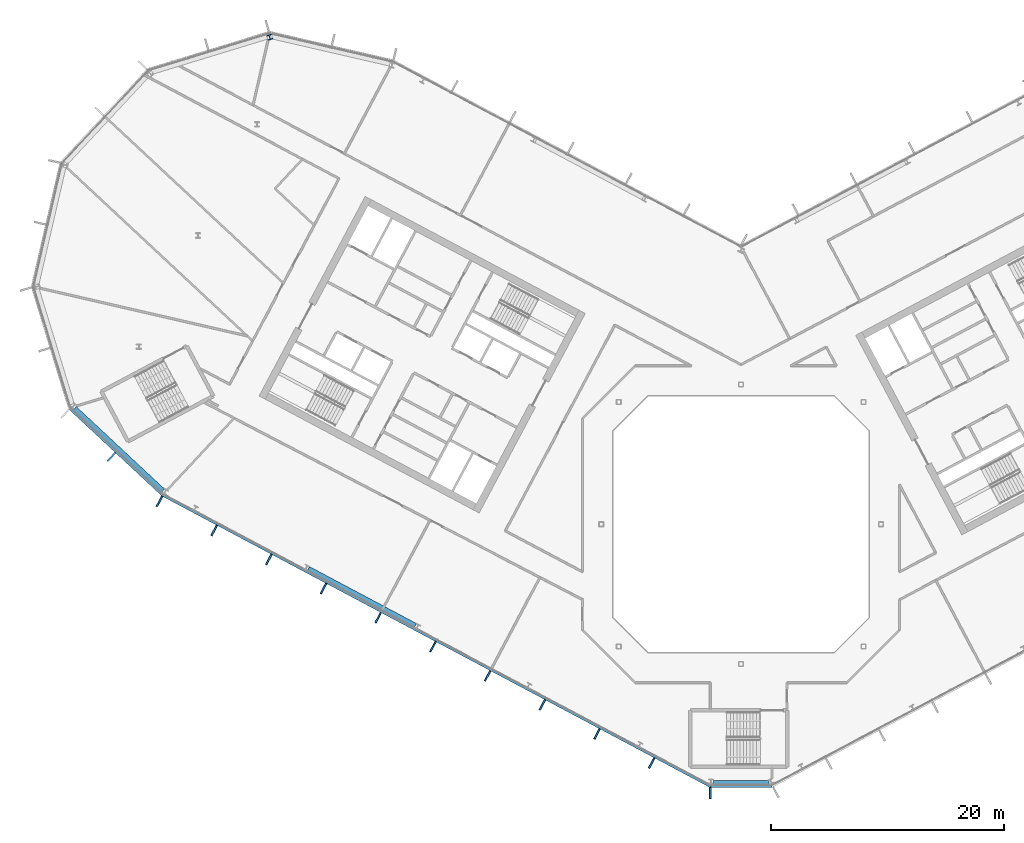
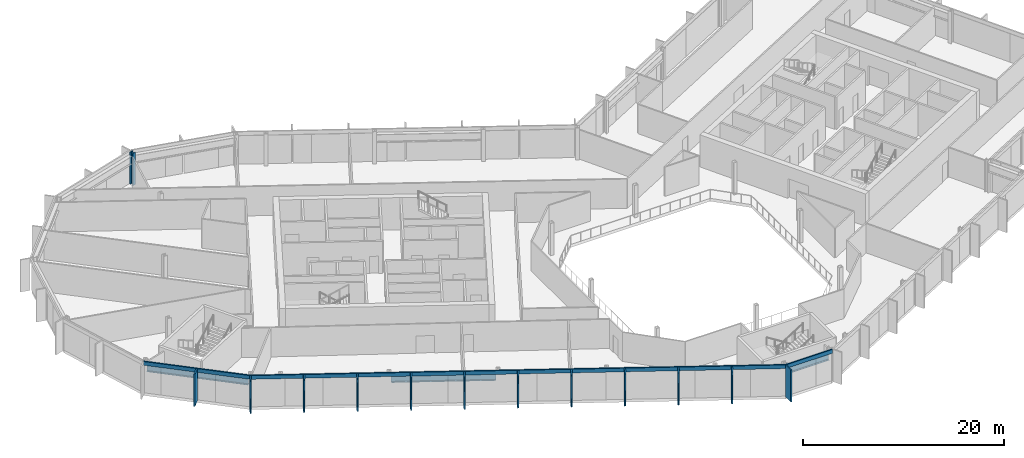
# One storey, part 8 of 26: 15 members, 3 beams, 1 column, 3 elements without a shape of their own.
"""IFC4 building model written with IfcOpenShell, lengths in metres."""

from ifc_helpers import new_model, si_unit, direction, frame, origin, origin_2d, place, context, subcontext, project, spatial, rectangle, i_section, extrude, material, layer, layer_set, material_profile, profile_set, type_object, element, aggregate, save


model = new_model("IFC4")

# Units and contexts
model_context = context("Model", 3, precision=1e-05, world=origin(), true_north=direction((0.0, 1.0)))
body_context = subcontext(model_context, "Body", "Model", "MODEL_VIEW")
ifc_project = project(units=[si_unit("LENGTHUNIT", "METRE"), si_unit("AREAUNIT", "SQUARE_METRE"), si_unit("VOLUMEUNIT", "CUBIC_METRE"), si_unit("PLANEANGLEUNIT", "RADIAN"), si_unit("MASSUNIT", "GRAM", prefix="KILO")], contexts=[model_context])

# Site, building, storey
site_placement = place(None, origin())
site = spatial("IfcSite", under=ifc_project, at=site_placement, CompositionType="ELEMENT")
building_placement = place(site_placement, origin())
building = spatial("IfcBuilding", under=site, at=building_placement, Name="Cormorant Relay Tower", CompositionType="ELEMENT")
storey_placement = place(building_placement, frame((0.0, 0.0, 213.0)))
storey = spatial("IfcBuildingStorey", under=building, at=storey_placement, Name="L46", CompositionType="ELEMENT", Elevation=213.0)

# Column
ifc_material_1 = material(Name="Steel ASTM A992 (Fy 345 MPa)", Category="steel")
ifc_material_profile_1 = material_profile(ifc_material_1, i_section(OverallWidth=0.41162109375, OverallDepth=0.434326171875, WebThickness=0.035888671875, FlangeThickness=0.057373046875, FilletRadius=0.01513671875, at=origin_2d()), Name="W360x463")
ifc_profile_set_1 = profile_set([ifc_material_profile_1], Name="Steel ASTM A992 (Fy 345 MPa)")
column_type = type_object("IfcColumnType", Name="Column W360x463", PredefinedType="COLUMN", material=ifc_profile_set_1)
column_placement = place(storey_placement, frame((-40.455078125, 41.803955078125, 0.0), z_axis=(0.0, 0.0, 1.0), x_axis=(-0.956304755963, -0.292371704723, 0.0)))
element("IfcColumn", 1, at=column_placement, inside=storey, type_object=column_type, Name="Column L46-045", PredefinedType="COLUMN", context=body_context, shape_type="SweptSolid", body=[
    extrude(i_section(OverallWidth=0.41162109375, OverallDepth=0.434326171875, WebThickness=0.035888671875, FlangeThickness=0.057373046875, FilletRadius=0.01513671875, at=origin_2d()), origin(), (0.0, 0.0, 1.0), 3.89990234375),
])

# Curtain wall, member
ifc_material_2 = material(Name="Aluminium 6063-T6 anodised bronze", Category="aluminium")
ifc_layer = layer(ifc_material_2, 0.199951171875)
ifc_layer_set = layer_set([ifc_layer], Name="CW1 unitised bronze curtain wall with vertical fins")
curtain_wall_type = type_object("IfcCurtainWallType", Name="CW1 unitised bronze curtain wall with vertical fins", PredefinedType="NOTDEFINED", material=ifc_layer_set)
curtain_wall_1_placement = place(storey_placement, origin())
curtain_wall_1 = element("IfcCurtainWall", 2, at=curtain_wall_1_placement, inside=storey, type_object=curtain_wall_type, Name="CW1 curtain wall 1", PredefinedType="NOTDEFINED")
ifc_material_3 = material(Name="Aluminium 6063-T6 anodised bronze", Category="aluminium")
ifc_material_profile_2 = material_profile(ifc_material_3, rectangle(XDim=0.14990234375, YDim=1.0, at=origin_2d()), Name="AL 150x1000")
ifc_profile_set_2 = profile_set([ifc_material_profile_2], Name="Aluminium 6063-T6 anodised bronze")
member_type_1 = type_object("IfcMemberType", Name="CW1 bronze fin mullion 150 x 1000", PredefinedType="MULLION", material=ifc_profile_set_2)
member_1_placement = place(storey_placement, frame((-2.648681640625, -23.07568359375, 0.0), z_axis=(0.0, 0.0, 1.0), x_axis=(1.0, 0.0, 0.0)))
member_1 = element("IfcMember", 3, at=member_1_placement, type_object=member_type_1, Name="CW1 fin 1.1", PredefinedType="MULLION", context=body_context, shape_type="SweptSolid", body=[
    extrude(rectangle(XDim=0.14990234375, YDim=1.0, at=origin_2d()), origin(), (0.0, 0.0, 1.0), 3.89990234375),
])

curtain_wall_2_placement = place(storey_placement, origin())
curtain_wall_2 = element("IfcCurtainWall", 4, at=curtain_wall_2_placement, inside=storey, type_object=curtain_wall_type, Name="CW1 curtain wall 15", PredefinedType="NOTDEFINED")
member_2_placement = place(storey_placement, frame((-54.0439453125, 5.779296875, 0.0), z_axis=(0.0, 0.0, 1.0), x_axis=(0.731353701619, -0.681998360062, 0.0)))
member_2 = element("IfcMember", 5, at=member_2_placement, type_object=member_type_1, Name="CW1 fin 15.2", PredefinedType="MULLION", context=body_context, shape_type="SweptSolid", body=[
    extrude(rectangle(XDim=0.14990234375, YDim=1.0, at=origin_2d()), origin(), (0.0, 0.0, 1.0), 3.89990234375),
])

# Curtain wall, members
curtain_wall_3_placement = place(storey_placement, origin())
curtain_wall_3 = element("IfcCurtainWall", 6, at=curtain_wall_3_placement, inside=storey, type_object=curtain_wall_type, Name="CW1 curtain wall 16", PredefinedType="NOTDEFINED")
member_3_placement = place(storey_placement, frame((-49.920166015625, 1.96630859375, 0.0), z_axis=(0.0, 0.0, 1.0), x_axis=(0.882947592859, -0.469471562786, 0.0)))
member_3 = element("IfcMember", 7, at=member_3_placement, type_object=member_type_1, Name="CW1 fin 16.1", PredefinedType="MULLION", context=body_context, shape_type="SweptSolid", body=[
    extrude(rectangle(XDim=0.14990234375, YDim=1.0, at=origin_2d()), origin(), (0.0, 0.0, 1.0), 3.89990234375),
])
member_4_placement = place(storey_placement, frame((-45.225830078125, -0.52978515625, 0.0), z_axis=(0.0, 0.0, 1.0), x_axis=(0.882947592859, -0.469471562786, 0.0)))
member_4 = element("IfcMember", 8, at=member_4_placement, type_object=member_type_1, Name="CW1 fin 16.2", PredefinedType="MULLION", context=body_context, shape_type="SweptSolid", body=[
    extrude(rectangle(XDim=0.14990234375, YDim=1.0, at=origin_2d()), origin(), (0.0, 0.0, 1.0), 3.89990234375),
])
member_5_placement = place(storey_placement, frame((-40.531494140625, -3.025634765625, 0.0), z_axis=(0.0, 0.0, 1.0), x_axis=(0.882947592859, -0.469471562786, 0.0)))
member_5 = element("IfcMember", 9, at=member_5_placement, type_object=member_type_1, Name="CW1 fin 16.3", PredefinedType="MULLION", context=body_context, shape_type="SweptSolid", body=[
    extrude(rectangle(XDim=0.14990234375, YDim=1.0, at=origin_2d()), origin(), (0.0, 0.0, 1.0), 3.89990234375),
])
member_6_placement = place(storey_placement, frame((-35.83740234375, -5.521728515625, 0.0), z_axis=(0.0, 0.0, 1.0), x_axis=(0.882947592859, -0.469471562786, 0.0)))
member_6 = element("IfcMember", 10, at=member_6_placement, type_object=member_type_1, Name="CW1 fin 16.4", PredefinedType="MULLION", context=body_context, shape_type="SweptSolid", body=[
    extrude(rectangle(XDim=0.14990234375, YDim=1.0, at=origin_2d()), origin(), (0.0, 0.0, 1.0), 3.89990234375),
])
member_7_placement = place(storey_placement, frame((-31.14306640625, -8.017578125, 0.0), z_axis=(0.0, 0.0, 1.0), x_axis=(0.882947592859, -0.469471562786, 0.0)))
member_7 = element("IfcMember", 11, at=member_7_placement, type_object=member_type_1, Name="CW1 fin 16.5", PredefinedType="MULLION", context=body_context, shape_type="SweptSolid", body=[
    extrude(rectangle(XDim=0.14990234375, YDim=1.0, at=origin_2d()), origin(), (0.0, 0.0, 1.0), 3.89990234375),
])
member_8_placement = place(storey_placement, frame((-26.44873046875, -10.513671875, 0.0), z_axis=(0.0, 0.0, 1.0), x_axis=(0.882947592859, -0.469471562786, 0.0)))
member_8 = element("IfcMember", 12, at=member_8_placement, type_object=member_type_1, Name="CW1 fin 16.6", PredefinedType="MULLION", context=body_context, shape_type="SweptSolid", body=[
    extrude(rectangle(XDim=0.14990234375, YDim=1.0, at=origin_2d()), origin(), (0.0, 0.0, 1.0), 3.89990234375),
])
member_9_placement = place(storey_placement, frame((-21.754638671875, -13.009765625, 0.0), z_axis=(0.0, 0.0, 1.0), x_axis=(0.882947592859, -0.469471562786, 0.0)))
member_9 = element("IfcMember", 13, at=member_9_placement, type_object=member_type_1, Name="CW1 fin 16.7", PredefinedType="MULLION", context=body_context, shape_type="SweptSolid", body=[
    extrude(rectangle(XDim=0.14990234375, YDim=1.0, at=origin_2d()), origin(), (0.0, 0.0, 1.0), 3.89990234375),
])
member_10_placement = place(storey_placement, frame((-17.060302734375, -15.505615234375, 0.0), z_axis=(0.0, 0.0, 1.0), x_axis=(0.882947592859, -0.469471562786, 0.0)))
member_10 = element("IfcMember", 14, at=member_10_placement, type_object=member_type_1, Name="CW1 fin 16.8", PredefinedType="MULLION", context=body_context, shape_type="SweptSolid", body=[
    extrude(rectangle(XDim=0.14990234375, YDim=1.0, at=origin_2d()), origin(), (0.0, 0.0, 1.0), 3.89990234375),
])
member_11_placement = place(storey_placement, frame((-12.365966796875, -18.001708984375, 0.0), z_axis=(0.0, 0.0, 1.0), x_axis=(0.882947592859, -0.469471562786, 0.0)))
member_11 = element("IfcMember", 15, at=member_11_placement, type_object=member_type_1, Name="CW1 fin 16.9", PredefinedType="MULLION", context=body_context, shape_type="SweptSolid", body=[
    extrude(rectangle(XDim=0.14990234375, YDim=1.0, at=origin_2d()), origin(), (0.0, 0.0, 1.0), 3.89990234375),
])
member_12_placement = place(storey_placement, frame((-7.671630859375, -20.49755859375, 0.0), z_axis=(0.0, 0.0, 1.0), x_axis=(0.882947592859, -0.469471562786, 0.0)))
member_12 = element("IfcMember", 16, at=member_12_placement, type_object=member_type_1, Name="CW1 fin 16.10", PredefinedType="MULLION", context=body_context, shape_type="SweptSolid", body=[
    extrude(rectangle(XDim=0.14990234375, YDim=1.0, at=origin_2d()), origin(), (0.0, 0.0, 1.0), 3.89990234375),
])

# Member
ifc_material_4 = material(Name="Aluminium 6063-T6 anodised bronze", Category="aluminium")
ifc_material_profile_3 = material_profile(ifc_material_4, rectangle(XDim=0.159912109375, YDim=0.449951171875, at=origin_2d()), Name="AL 160x450")
ifc_profile_set_3 = profile_set([ifc_material_profile_3], Name="Aluminium 6063-T6 anodised bronze")
member_type_2 = type_object("IfcMemberType", Name="CW1 bronze transom 160 x 450", PredefinedType="USERDEFINED", material=ifc_profile_set_3)
member_13_placement = place(storey_placement, frame((-2.648681640625, -22.49560546875, 3.675048828125), z_axis=(1.0, 0.0, 0.0), x_axis=(0.0, 1.0, 0.0)))
member_13 = element("IfcMember", 17, at=member_13_placement, type_object=member_type_2, Name="CW1 transom 1", ObjectType="TRANSOM", PredefinedType="USERDEFINED", context=body_context, shape_type="SweptSolid", body=[
    extrude(rectangle(XDim=0.159912109375, YDim=0.449951171875, at=origin_2d()), origin(), (0.0, 0.0, 1.0), 5.29736328125),
])

aggregate(curtain_wall_1, [member_1, member_13])

member_14_placement = place(storey_placement, frame((-57.62353515625, 9.91015625, 3.675048828125), z_axis=(0.731358420696, -0.681993299437, 0.0), x_axis=(0.681993299437, 0.731358420696, 0.0)))
member_14 = element("IfcMember", 18, at=member_14_placement, type_object=member_type_2, Name="CW1 transom 15", ObjectType="TRANSOM", PredefinedType="USERDEFINED", context=body_context, shape_type="SweptSolid", body=[
    extrude(rectangle(XDim=0.159912109375, YDim=0.449951171875, at=origin_2d()), origin(), (0.0, 0.0, 1.0), 10.870361328125),
])

aggregate(curtain_wall_2, [member_2, member_14])

member_15_placement = place(storey_placement, frame((-49.64794921875, 2.478515625, 3.675048828125), z_axis=(0.882947642542, -0.469471469346, 0.0), x_axis=(0.469471469346, 0.882947642542, 0.0)))
member_15 = element("IfcMember", 19, at=member_15_placement, type_object=member_type_2, Name="CW1 transom 16", ObjectType="TRANSOM", PredefinedType="USERDEFINED", context=body_context, shape_type="SweptSolid", body=[
    extrude(rectangle(XDim=0.159912109375, YDim=0.449951171875, at=origin_2d()), origin(), (0.0, 0.0, 1.0), 53.166015625),
])

aggregate(curtain_wall_3, [member_3, member_4, member_5, member_6, member_7, member_8, member_9, member_10, member_11, member_12, member_15])

# Beams
ifc_material_5 = material(Name="Steel ASTM A992 (Fy 345 MPa)", Category="steel")
ifc_material_profile_4 = material_profile(ifc_material_5, i_section(OverallWidth=0.4013671875, OverallDepth=0.990478515625, WebThickness=0.0166015625, FlangeThickness=0.031005859375, FilletRadius=0.030029296875, at=origin_2d()), Name="W1000x320")
ifc_profile_set_4 = profile_set([ifc_material_profile_4], Name="Steel ASTM A992 (Fy 345 MPa)")
beam_type = type_object("IfcBeamType", Name="Spandrel W1000x320", PredefinedType="SPANDREL", material=ifc_profile_set_4)
beam_1_placement = place(storey_placement, frame((-2.3701171875, -22.1748046875, 3.044677734375), z_axis=(1.0, 0.0, 0.0), x_axis=(0.0, 1.0, 0.0)))
element("IfcBeam", 20, at=beam_1_placement, inside=storey, type_object=beam_type, Name="Spandrel beam L46-001", PredefinedType="SPANDREL", context=body_context, shape_type="SweptSolid", body=[
    extrude(i_section(OverallWidth=0.4013671875, OverallDepth=0.990478515625, WebThickness=0.0166015625, FlangeThickness=0.031005859375, FilletRadius=0.030029296875, at=origin_2d()), origin(), (0.0, 0.0, 1.0), 4.761474609375),
])
beam_2_placement = place(storey_placement, frame((-57.19580078125, 9.94970703125, 3.044677734375), z_axis=(0.731351589689, -0.682000624824, 0.0), x_axis=(0.682000624824, 0.731351589689, 0.0)))
element("IfcBeam", 21, at=beam_2_placement, inside=storey, type_object=beam_type, Name="Spandrel beam L46-015", PredefinedType="SPANDREL", context=body_context, shape_type="SweptSolid", body=[
    extrude(i_section(OverallWidth=0.4013671875, OverallDepth=0.990478515625, WebThickness=0.0166015625, FlangeThickness=0.031005859375, FilletRadius=0.030029296875, at=origin_2d()), origin(), (0.0, 0.0, 1.0), 10.354248046875),
])
beam_3_placement = place(storey_placement, frame((-37.134033203125, -3.812255859375, 3.044677734375), z_axis=(0.882949648898, -0.469467695918, 0.0), x_axis=(0.469467695918, 0.882949648898, 0.0)))
element("IfcBeam", 22, at=beam_3_placement, inside=storey, type_object=beam_type, Name="Spandrel beam L46-016", PredefinedType="SPANDREL", context=body_context, shape_type="SweptSolid", body=[
    extrude(i_section(OverallWidth=0.4013671875, OverallDepth=0.990478515625, WebThickness=0.0166015625, FlangeThickness=0.031005859375, FilletRadius=0.030029296875, at=origin_2d()), origin(), (0.0, 0.0, 1.0), 10.39599609375),
])

save(model, "model.ifc")
